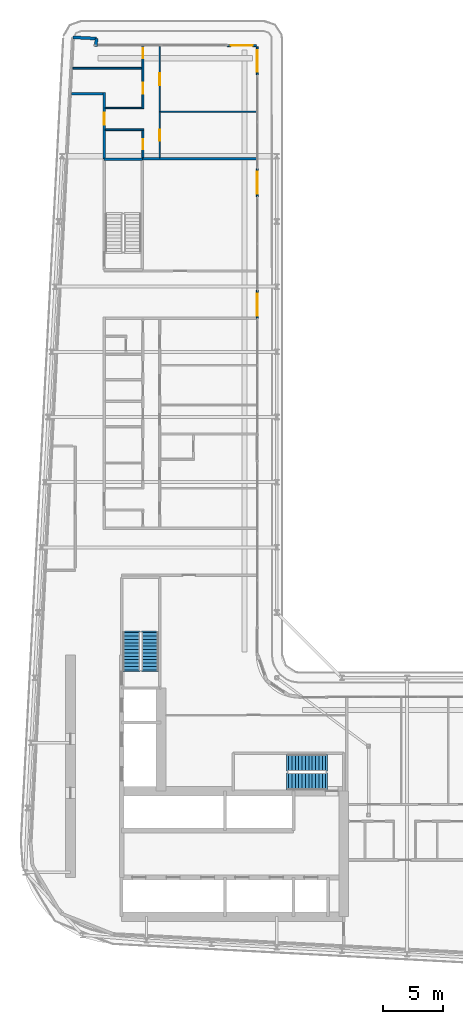
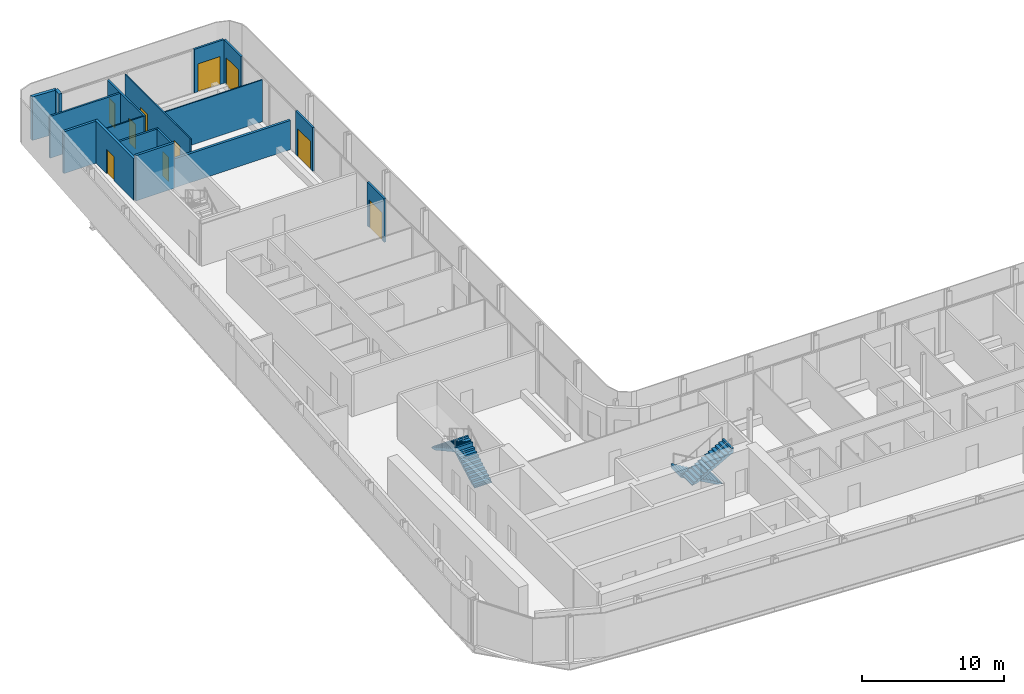
# One storey, part 16 of 24: 17 walls, 10 doors, 4 stair flights, 10 openings, 2 elements without a shape of their own.
"""IFC4 building model written with IfcOpenShell, lengths in metres."""

from ifc_helpers import new_model, si_unit, direction, frame, frame_2d, origin, place, context, subcontext, project, spatial, polyline, rectangle, outline, extrude, source, transform, mapped, material, layer, layer_set, type_object, element, fill, aggregate, save


model = new_model("IFC4")

# Units and contexts
model_context = context("Model", 3, precision=1e-05, world=origin(), true_north=direction((0.0, 1.0)))
body_context = subcontext(model_context, "Body", "Model", "MODEL_VIEW")
ifc_project = project(units=[si_unit("LENGTHUNIT", "METRE"), si_unit("AREAUNIT", "SQUARE_METRE"), si_unit("VOLUMEUNIT", "CUBIC_METRE"), si_unit("PLANEANGLEUNIT", "RADIAN"), si_unit("MASSUNIT", "GRAM", prefix="KILO")], contexts=[model_context])

# Site, building, storey
site_placement = place(None, origin())
site = spatial("IfcSite", under=ifc_project, at=site_placement, CompositionType="ELEMENT")
building_placement = place(site_placement, origin())
building = spatial("IfcBuilding", under=site, at=building_placement, Name="Kheshtan School and Residences Tower", CompositionType="ELEMENT")
storey_placement = place(building_placement, frame((0.0, 0.0, 160.39990234375)))
storey = spatial("IfcBuildingStorey", under=building, at=storey_placement, Name="L37", CompositionType="ELEMENT", Elevation=160.39990234375)

# Wall
ifc_material_1 = material(Name="Gypsum board on steel studs with fire boards", Category="steel")
ifc_layer_1 = layer(ifc_material_1, 0.199951171875)
ifc_layer_set_1 = layer_set([ifc_layer_1], Name="Corridor wall 200")
wall_type_1 = type_object("IfcWallType", Name="Corridor wall 200", PredefinedType="PARTITIONING", material=ifc_layer_set_1)
wall_1_placement = place(storey_placement, frame((30.584716796875, 94.0, 0.0), z_axis=(0.0, 0.0, 1.0), x_axis=(1.0, 0.0, 0.0)))
element("IfcWall", 1, at=wall_1_placement, inside=storey, type_object=wall_type_1, Name="Partition L37-002", PredefinedType="PARTITIONING", context=body_context, shape_type="SweptSolid", body=[
    extrude(rectangle(XDim=2.615234375, YDim=0.199951171875, at=frame_2d((1.3076171875, 0.0))), origin(), (0.0, 0.0, 1.0), 3.60009765625),
])

# Wall, opening, door
wall_2_placement = place(storey_placement, frame((33.300048828125, 88.60009765625, 0.0), z_axis=(0.0, 0.0, 1.0), x_axis=(0.0, 1.0, 0.0)))
wall_2 = element("IfcWall", 2, at=wall_2_placement, inside=storey, type_object=wall_type_1, Name="Partition L37-005", PredefinedType="PARTITIONING", context=body_context, shape_type="SweptSolid", body=[
    extrude(rectangle(XDim=5.5, YDim=0.199951171875, at=frame_2d((2.75, 0.0))), origin(), (0.0, 0.0, 1.0), 3.60009765625),
])
opening_1_placement = place(wall_2_placement, frame((2.800048828125, 0.0, 0.0)))
opening_1 = element("IfcOpeningElement", 3, at=opening_1_placement, cuts=wall_2, Name="Opening D37-045", PredefinedType="OPENING", context=body_context, shape_type="SweptSolid", body=[
    extrude(rectangle(XDim=1.0, YDim=2.10009765625, at=frame_2d((0.5, 1.050048828125))), frame((0.0, 0.10986328125, 0.0), z_axis=(0.0, -1.0, 0.0), x_axis=(1.0, 0.0, 0.0)), (0.0, 0.0, 1.0), 0.219970703125),
])
ifc_material_2 = material(Name="Steel-framed fire-resisting door leaf", Category="steel")
door_type_1 = type_object("IfcDoorType", Name="Fire door FD30S 1000 x 2100", OperationType="SINGLE_SWING_LEFT", PredefinedType="DOOR", material=ifc_material_2)
shared_shape_1 = source(origin(), body_context, "Body", "SweptSolid", [
    extrude(rectangle(XDim=1.0, YDim=2.10009765625, at=frame_2d((0.5, 1.050048828125))), frame((0.0, 0.02490234375, 0.0), z_axis=(0.0, -1.0, 0.0), x_axis=(1.0, 0.0, 0.0)), (0.0, 0.0, 1.0), 0.050048828125),
])
door_1_placement = place(opening_1_placement, origin())
door_1 = element("IfcDoor", 4, at=door_1_placement, inside=storey, type_object=door_type_1, Name="Door D37-045", OperationType="SINGLE_SWING_LEFT", OverallHeight=2.10009765625, OverallWidth=1.0, PredefinedType="DOOR", context=body_context, shape_type="MappedRepresentation", body=[
    mapped(shared_shape_1, transform((0.0, 0.0, 0.0), x_axis=(1.0, 0.0, 0.0), y_axis=(0.0, 1.0, 0.0), z_axis=(0.0, 0.0, 1.0), scale=1.0)),
])
fill(opening_1, door_1)

# Walls
ifc_material_3 = material(Name="Concrete C40/50 with ceramic cladding and mineral wool insulation", Category="concrete")
ifc_layer_2 = layer(ifc_material_3, 0.25)
ifc_layer_set_2 = layer_set([ifc_layer_2], Name="External wall 250 ceramic clad")
wall_type_2 = type_object("IfcWallType", Name="External wall 250 ceramic clad", PredefinedType="SOLIDWALL", material=ifc_layer_set_2)
wall_3_placement = place(storey_placement, frame((30.705078125, 98.6640625, 0.0), z_axis=(0.0, 0.0, 1.0), x_axis=(0.998577785791, -0.053314216913, 0.0)))
element("IfcWall", 5, at=wall_3_placement, inside=storey, type_object=wall_type_2, Name="External wall L37 5", PredefinedType="SOLIDWALL", context=body_context, shape_type="SweptSolid", body=[
    extrude(rectangle(XDim=1.95068359375, YDim=0.25, at=frame_2d((0.975341796875, 0.0))), origin(), (0.0, 0.0, 1.0), 3.75),
])
wall_4_placement = place(storey_placement, frame((32.653076171875, 98.56005859375, 0.0), z_axis=(0.0, 0.0, 1.0), x_axis=(-0.054093451632, -0.998535877418, 0.0)))
element("IfcWall", 6, at=wall_4_placement, inside=storey, type_object=wall_type_2, Name="External wall L37 6", PredefinedType="SOLIDWALL", context=body_context, shape_type="SweptSolid", body=[
    extrude(rectangle(XDim=0.66796875, YDim=0.25, at=frame_2d((0.333984375, 0.0))), origin(), (0.0, 0.0, 1.0), 3.75),
])

# Wall, opening, door
ifc_material_4 = material(Name="Aluminium frame wall with insulated infill", Category="aluminium")
ifc_layer_3 = layer(ifc_material_4, 0.14990234375)
ifc_layer_set_3 = layer_set([ifc_layer_3], Name="Glazing frame wall 150")
wall_type_3 = type_object("IfcWallType", Name="Glazing frame wall 150", PredefinedType="SOLIDWALL", material=ifc_layer_set_3)
wall_5_placement = place(storey_placement, frame((43.5, 97.97509765625, 0.0), z_axis=(0.0, 0.0, 1.0), x_axis=(1.0, 0.0, 0.0)))
wall_5 = element("IfcWall", 7, at=wall_5_placement, inside=storey, type_object=wall_type_3, Name="Balcony door wall L37 7.1", PredefinedType="SOLIDWALL", context=body_context, shape_type="SweptSolid", body=[
    extrude(rectangle(XDim=2.39990234375, YDim=0.14990234375, at=frame_2d((1.199951171875, 0.0))), origin(), (0.0, 0.0, 1.0), 3.75),
])
opening_2_placement = place(wall_5_placement, frame((0.300048828125, 0.0, 0.0)))
opening_2 = element("IfcOpeningElement", 8, at=opening_2_placement, cuts=wall_5, Name="Opening BD", PredefinedType="OPENING", context=body_context, shape_type="SweptSolid", body=[
    extrude(rectangle(XDim=1.800048828125, YDim=2.39990234375, at=frame_2d((0.89990234375, 1.199951171875))), frame((0.0, 0.0849609375, 0.0), z_axis=(0.0, -1.0, 0.0), x_axis=(1.0, 0.0, 0.0)), (0.0, 0.0, 1.0), 0.169921875),
])
ifc_material_5 = material(Name="Clear low-e glass in thermally broken aluminium frame", Category="aluminium")
door_type_2 = type_object("IfcDoorType", Name="Balcony sliding door", OperationType="SLIDING_TO_LEFT", PredefinedType="DOOR", material=ifc_material_5)
shared_shape_2 = source(origin(), body_context, "Body", "SweptSolid", [
    extrude(rectangle(XDim=1.800048828125, YDim=2.39990234375, at=frame_2d((0.89990234375, 1.199951171875))), frame((0.0, 0.02490234375, 0.0), z_axis=(0.0, -1.0, 0.0), x_axis=(1.0, 0.0, 0.0)), (0.0, 0.0, 1.0), 0.050048828125),
])
door_2_placement = place(opening_2_placement, origin())
door_2 = element("IfcDoor", 9, at=door_2_placement, inside=storey, type_object=door_type_2, Name="Balcony door L37 7.1", OperationType="SLIDING_TO_LEFT", OverallHeight=2.39990234375, OverallWidth=1.800048828125, PredefinedType="DOOR", context=body_context, shape_type="MappedRepresentation", body=[
    mapped(shared_shape_2, transform((0.0, 0.0, 0.0), x_axis=(1.0, 0.0, 0.0), y_axis=(0.0, 1.0, 0.0), z_axis=(0.0, 0.0, 1.0), scale=1.0)),
])
fill(opening_2, door_2)

wall_6_placement = place(storey_placement, frame((45.97509765625, 97.89990234375, 0.0), z_axis=(0.0, 0.0, 1.0), x_axis=(0.0, -1.0, 0.0)))
wall_6 = element("IfcWall", 10, at=wall_6_placement, inside=storey, type_object=wall_type_3, Name="Balcony door wall L37 8.1", PredefinedType="SOLIDWALL", context=body_context, shape_type="SweptSolid", body=[
    extrude(rectangle(XDim=2.39990234375, YDim=0.14990234375, at=frame_2d((1.199951171875, 0.0))), origin(), (0.0, 0.0, 1.0), 3.75),
])
opening_3_placement = place(wall_6_placement, frame((0.300048828125, 0.0, 0.0)))
opening_3 = element("IfcOpeningElement", 11, at=opening_3_placement, cuts=wall_6, Name="Opening BD", PredefinedType="OPENING", context=body_context, shape_type="SweptSolid", body=[
    extrude(rectangle(XDim=1.800048828125, YDim=2.39990234375, at=frame_2d((0.89990234375, 1.199951171875))), frame((0.0, 0.0849609375, 0.0), z_axis=(0.0, -1.0, 0.0), x_axis=(1.0, 0.0, 0.0)), (0.0, 0.0, 1.0), 0.169921875),
])
door_3_placement = place(opening_3_placement, origin())
door_3 = element("IfcDoor", 12, at=door_3_placement, inside=storey, type_object=door_type_2, Name="Balcony door L37 8.1", OperationType="SLIDING_TO_LEFT", OverallHeight=2.39990234375, OverallWidth=1.800048828125, PredefinedType="DOOR", context=body_context, shape_type="MappedRepresentation", body=[
    mapped(shared_shape_2, transform((0.0, 0.0, 0.0), x_axis=(1.0, 0.0, 0.0), y_axis=(0.0, 1.0, 0.0), z_axis=(0.0, 0.0, 1.0), scale=1.0)),
])
fill(opening_3, door_3)

wall_7_placement = place(storey_placement, frame((45.97509765625, 87.805908203125, 0.0), z_axis=(0.0, 0.0, 1.0), x_axis=(0.0, -1.0, 0.0)))
wall_7 = element("IfcWall", 13, at=wall_7_placement, inside=storey, type_object=wall_type_3, Name="Balcony door wall L37 8.2", PredefinedType="SOLIDWALL", context=body_context, shape_type="SweptSolid", body=[
    extrude(rectangle(XDim=2.39990234375, YDim=0.14990234375, at=frame_2d((1.199951171875, 0.0))), origin(), (0.0, 0.0, 1.0), 3.75),
])
opening_4_placement = place(wall_7_placement, frame((0.300048828125, 0.0, 0.0)))
opening_4 = element("IfcOpeningElement", 14, at=opening_4_placement, cuts=wall_7, Name="Opening BD", PredefinedType="OPENING", context=body_context, shape_type="SweptSolid", body=[
    extrude(rectangle(XDim=1.800048828125, YDim=2.39990234375, at=frame_2d((0.89990234375, 1.199951171875))), frame((0.0, 0.0849609375, 0.0), z_axis=(0.0, -1.0, 0.0), x_axis=(1.0, 0.0, 0.0)), (0.0, 0.0, 1.0), 0.169921875),
])
door_4_placement = place(opening_4_placement, origin())
door_4 = element("IfcDoor", 15, at=door_4_placement, inside=storey, type_object=door_type_2, Name="Balcony door L37 8.2", OperationType="SLIDING_TO_LEFT", OverallHeight=2.39990234375, OverallWidth=1.800048828125, PredefinedType="DOOR", context=body_context, shape_type="MappedRepresentation", body=[
    mapped(shared_shape_2, transform((0.0, 0.0, 0.0), x_axis=(1.0, 0.0, 0.0), y_axis=(0.0, 1.0, 0.0), z_axis=(0.0, 0.0, 1.0), scale=1.0)),
])
fill(opening_4, door_4)

wall_8_placement = place(storey_placement, frame((45.97509765625, 77.7119140625, 0.0), z_axis=(0.0, 0.0, 1.0), x_axis=(0.0, -1.0, 0.0)))
wall_8 = element("IfcWall", 16, at=wall_8_placement, inside=storey, type_object=wall_type_3, Name="Balcony door wall L37 8.3", PredefinedType="SOLIDWALL", context=body_context, shape_type="SweptSolid", body=[
    extrude(rectangle(XDim=2.39990234375, YDim=0.14990234375, at=frame_2d((1.199951171875, 0.0))), origin(), (0.0, 0.0, 1.0), 3.75),
])
opening_5_placement = place(wall_8_placement, frame((0.300048828125, 0.0, 0.0)))
opening_5 = element("IfcOpeningElement", 17, at=opening_5_placement, cuts=wall_8, Name="Opening BD", PredefinedType="OPENING", context=body_context, shape_type="SweptSolid", body=[
    extrude(rectangle(XDim=1.800048828125, YDim=2.39990234375, at=frame_2d((0.89990234375, 1.199951171875))), frame((0.0, 0.0849609375, 0.0), z_axis=(0.0, -1.0, 0.0), x_axis=(1.0, 0.0, 0.0)), (0.0, 0.0, 1.0), 0.169921875),
])
door_5_placement = place(opening_5_placement, origin())
door_5 = element("IfcDoor", 18, at=door_5_placement, inside=storey, type_object=door_type_2, Name="Balcony door L37 8.3", OperationType="SLIDING_TO_LEFT", OverallHeight=2.39990234375, OverallWidth=1.800048828125, PredefinedType="DOOR", context=body_context, shape_type="MappedRepresentation", body=[
    mapped(shared_shape_2, transform((0.0, 0.0, 0.0), x_axis=(1.0, 0.0, 0.0), y_axis=(0.0, 1.0, 0.0), z_axis=(0.0, 0.0, 1.0), scale=1.0)),
])
fill(opening_5, door_5)

# Wall
ifc_material_6 = material(Name="Gypsum board on steel studs", Category="steel")
ifc_layer_4 = layer(ifc_material_6, 0.10009765625)
ifc_layer_set_4 = layer_set([ifc_layer_4], Name="Gypsum partition 100")
wall_type_4 = type_object("IfcWallType", Name="Gypsum partition 100", PredefinedType="PARTITIONING", material=ifc_layer_set_4)
wall_9_placement = place(storey_placement, frame((33.39990234375, 92.800048828125, 0.0), z_axis=(0.0, 0.0, 1.0), x_axis=(1.0, 0.0, 0.0)))
element("IfcWall", 19, at=wall_9_placement, inside=storey, type_object=wall_type_4, Name="Partition L37-017", PredefinedType="PARTITIONING", context=body_context, shape_type="SweptSolid", body=[
    extrude(rectangle(XDim=3.025146484375, YDim=0.10009765625, at=frame_2d((1.5126953125, 0.0))), origin(), (0.0, 0.0, 1.0), 3.60009765625),
])

# Wall, openings, doors
wall_10_placement = place(storey_placement, frame((37.89990234375, 88.699951171875, 0.0), z_axis=(0.0, 0.0, 1.0), x_axis=(0.0, 1.0, 0.0)))
wall_10 = element("IfcWall", 20, at=wall_10_placement, inside=storey, type_object=wall_type_4, Name="Partition L37-026", PredefinedType="PARTITIONING", context=body_context, shape_type="SweptSolid", body=[
    extrude(rectangle(XDim=9.199951171875, YDim=0.10009765625, at=frame_2d((4.60009765625, 0.0))), origin(), (0.0, 0.0, 1.0), 3.60009765625),
])
opening_6_placement = place(wall_10_placement, frame((1.39990234375, 0.0, 0.0)))
opening_6 = element("IfcOpeningElement", 21, at=opening_6_placement, cuts=wall_10, Name="Opening D37-044", PredefinedType="OPENING", context=body_context, shape_type="SweptSolid", body=[
    extrude(rectangle(XDim=0.89990234375, YDim=2.10009765625, at=frame_2d((0.449951171875, 1.050048828125))), frame((0.0, 0.06005859375, 0.0), z_axis=(0.0, -1.0, 0.0), x_axis=(1.0, 0.0, 0.0)), (0.0, 0.0, 1.0), 0.1201171875),
])
opening_7_placement = place(wall_10_placement, frame((6.0, 0.0, 0.0)))
opening_7 = element("IfcOpeningElement", 22, at=opening_7_placement, cuts=wall_10, Name="Opening D37-047", PredefinedType="OPENING", context=body_context, shape_type="SweptSolid", body=[
    extrude(rectangle(XDim=1.0, YDim=2.10009765625, at=frame_2d((0.5, 1.050048828125))), frame((0.0, 0.06005859375, 0.0), z_axis=(0.0, -1.0, 0.0), x_axis=(1.0, 0.0, 0.0)), (0.0, 0.0, 1.0), 0.1201171875),
])
ifc_material_7 = material(Name="Veneered timber door leaf", Category="wood")
door_type_3 = type_object("IfcDoorType", Name="Door 1000 x 2100", OperationType="SINGLE_SWING_LEFT", PredefinedType="DOOR", material=ifc_material_7)
shared_shape_3 = source(origin(), body_context, "Body", "SweptSolid", [
    extrude(rectangle(XDim=1.0, YDim=2.10009765625, at=frame_2d((0.5, 1.050048828125))), frame((0.0, 0.02490234375, 0.0), z_axis=(0.0, -1.0, 0.0), x_axis=(1.0, 0.0, 0.0)), (0.0, 0.0, 1.0), 0.050048828125),
])
door_6_placement = place(opening_7_placement, origin())
door_6 = element("IfcDoor", 23, at=door_6_placement, inside=storey, type_object=door_type_3, Name="Door D37-047", OperationType="SINGLE_SWING_RIGHT", OverallHeight=2.10009765625, OverallWidth=1.0, PredefinedType="DOOR", context=body_context, shape_type="MappedRepresentation", body=[
    mapped(shared_shape_3, transform((0.0, 0.0, 0.0), x_axis=(1.0, 0.0, 0.0), y_axis=(0.0, 1.0, 0.0), z_axis=(0.0, 0.0, 1.0), scale=1.0)),
])
fill(opening_7, door_6)
door_type_4 = type_object("IfcDoorType", Name="Door 900 x 2100", OperationType="SINGLE_SWING_LEFT", PredefinedType="DOOR", material=ifc_material_7)
shared_shape_4 = source(origin(), body_context, "Body", "SweptSolid", [
    extrude(rectangle(XDim=0.89990234375, YDim=2.10009765625, at=frame_2d((0.449951171875, 1.050048828125))), frame((0.0, 0.02490234375, 0.0), z_axis=(0.0, -1.0, 0.0), x_axis=(1.0, 0.0, 0.0)), (0.0, 0.0, 1.0), 0.050048828125),
])
door_7_placement = place(opening_6_placement, origin())
door_7 = element("IfcDoor", 24, at=door_7_placement, inside=storey, type_object=door_type_4, Name="Door D37-044", OperationType="SINGLE_SWING_LEFT", OverallHeight=2.10009765625, OverallWidth=0.89990234375, PredefinedType="DOOR", context=body_context, shape_type="MappedRepresentation", body=[
    mapped(shared_shape_4, transform((0.0, 0.0, 0.0), x_axis=(1.0, 0.0, 0.0), y_axis=(0.0, 1.0, 0.0), z_axis=(0.0, 0.0, 1.0), scale=1.0)),
])
fill(opening_6, door_7)

# Walls
wall_11_placement = place(storey_placement, frame((37.949951171875, 92.5, 0.0), z_axis=(0.0, 0.0, 1.0), x_axis=(1.0, 0.0, 0.0)))
element("IfcWall", 25, at=wall_11_placement, inside=storey, type_object=wall_type_4, Name="Partition L37-027", PredefinedType="PARTITIONING", context=body_context, shape_type="SweptSolid", body=[
    extrude(rectangle(XDim=7.949951171875, YDim=0.10009765625, at=frame_2d((3.97509765625, 0.0))), origin(), (0.0, 0.0, 1.0), 3.60009765625),
])
ifc_material_8 = material(Name="Concrete C40/50", Category="concrete")
ifc_layer_5 = layer(ifc_material_8, 0.199951171875)
ifc_layer_set_5 = layer_set([ifc_layer_5], Name="Stair enclosure wall 200 Concrete C40/50")
wall_type_5 = type_object("IfcWallType", Name="Stair enclosure wall 200 Concrete C40/50", PredefinedType="SHEAR", material=ifc_layer_set_5)
wall_12_placement = place(storey_placement, frame((33.300048828125, 88.56005859375, 0.0), z_axis=(0.0, 0.0, 1.0), x_axis=(1.0, 0.0, 0.0)))
element("IfcWall", 26, at=wall_12_placement, inside=storey, type_object=wall_type_5, Name="Stair enclosure wall ST3", PredefinedType="SHEAR", context=body_context, shape_type="SweptSolid", body=[
    extrude(rectangle(XDim=3.14990234375, YDim=0.199951171875, at=frame_2d((1.574951171875, 0.0))), origin(), (0.0, 0.0, 1.0), 3.900146484375),
])
ifc_material_9 = material(Name="Twin gypsum board on steel studs with mineral wool", Category="steel")
ifc_layer_6 = layer(ifc_material_9, 0.199951171875)
ifc_layer_set_6 = layer_set([ifc_layer_6], Name="Unit demising wall 200")
wall_type_6 = type_object("IfcWallType", Name="Unit demising wall 200", PredefinedType="PARTITIONING", material=ifc_layer_set_6)
wall_13_placement = place(storey_placement, frame((36.425048828125, 88.60009765625, 0.0), z_axis=(0.0, 0.0, 1.0), x_axis=(1.0, 0.0, 0.0)))
element("IfcWall", 27, at=wall_13_placement, inside=storey, type_object=wall_type_6, Name="Partition L37-020", PredefinedType="PARTITIONING", context=body_context, shape_type="SweptSolid", body=[
    extrude(rectangle(XDim=9.474853515625, YDim=0.199951171875, at=frame_2d((4.7373046875, 0.0))), origin(), (0.0, 0.0, 1.0), 2.5),
])
ifc_material_10 = material(Name="Moisture-resistant gypsum board on steel studs", Category="steel")
ifc_layer_7 = layer(ifc_material_10, 0.14990234375)
ifc_layer_set_7 = layer_set([ifc_layer_7], Name="Wet-room partition 150")
wall_type_7 = type_object("IfcWallType", Name="Wet-room partition 150", PredefinedType="PARTITIONING", material=ifc_layer_set_7)
wall_14_placement = place(storey_placement, frame((30.695068359375, 96.10009765625, 0.0), z_axis=(0.0, 0.0, 1.0), x_axis=(1.0, 0.0, 0.0)))
element("IfcWall", 28, at=wall_14_placement, inside=storey, type_object=wall_type_7, Name="Partition L37-001", PredefinedType="PARTITIONING", context=body_context, shape_type="SweptSolid", body=[
    extrude(rectangle(XDim=5.72998046875, YDim=0.14990234375, at=frame_2d((2.864990234375, 0.0))), origin(), (0.0, 0.0, 1.0), 3.60009765625),
])
wall_15_placement = place(storey_placement, frame((33.39990234375, 91.0, 0.0), z_axis=(0.0, 0.0, 1.0), x_axis=(1.0, 0.0, 0.0)))
element("IfcWall", 29, at=wall_15_placement, inside=storey, type_object=wall_type_7, Name="Partition L37-016", PredefinedType="PARTITIONING", context=body_context, shape_type="SweptSolid", body=[
    extrude(rectangle(XDim=3.175048828125, YDim=0.14990234375, at=frame_2d((1.58740234375, 0.0))), origin(), (0.0, 0.0, 1.0), 3.60009765625),
])

# Wall, opening, door
wall_16_placement = place(storey_placement, frame((36.5, 88.699951171875, 0.0), z_axis=(0.0, 0.0, 1.0), x_axis=(0.0, 1.0, 0.0)))
wall_16 = element("IfcWall", 30, at=wall_16_placement, inside=storey, type_object=wall_type_7, Name="Partition L37-023", PredefinedType="PARTITIONING", context=body_context, shape_type="SweptSolid", body=[
    extrude(rectangle(XDim=2.22509765625, YDim=0.14990234375, at=frame_2d((1.112548828125, 0.0))), origin(), (0.0, 0.0, 1.0), 3.60009765625),
])
opening_8_placement = place(wall_16_placement, frame((0.699951171875, 0.0, 0.0)))
opening_8 = element("IfcOpeningElement", 31, at=opening_8_placement, cuts=wall_16, Name="Opening D37-043", PredefinedType="OPENING", context=body_context, shape_type="SweptSolid", body=[
    extrude(rectangle(XDim=0.800048828125, YDim=2.10009765625, at=frame_2d((0.39990234375, 1.050048828125))), frame((0.0, 0.0849609375, 0.0), z_axis=(0.0, -1.0, 0.0), x_axis=(1.0, 0.0, 0.0)), (0.0, 0.0, 1.0), 0.169921875),
])
door_type_5 = type_object("IfcDoorType", Name="Door 800 x 2100", OperationType="SINGLE_SWING_LEFT", PredefinedType="DOOR", material=ifc_material_7)
shared_shape_5 = source(origin(), body_context, "Body", "SweptSolid", [
    extrude(rectangle(XDim=0.800048828125, YDim=2.10009765625, at=frame_2d((0.39990234375, 1.050048828125))), frame((0.0, 0.02490234375, 0.0), z_axis=(0.0, -1.0, 0.0), x_axis=(1.0, 0.0, 0.0)), (0.0, 0.0, 1.0), 0.050048828125),
])
door_8_placement = place(opening_8_placement, origin())
door_8 = element("IfcDoor", 32, at=door_8_placement, inside=storey, type_object=door_type_5, Name="Door D37-043", OperationType="SINGLE_SWING_LEFT", OverallHeight=2.10009765625, OverallWidth=0.800048828125, PredefinedType="DOOR", context=body_context, shape_type="MappedRepresentation", body=[
    mapped(shared_shape_5, transform((0.0, 0.0, 0.0), x_axis=(1.0, 0.0, 0.0), y_axis=(0.0, 1.0, 0.0), z_axis=(0.0, 0.0, 1.0), scale=1.0)),
])
fill(opening_8, door_8)

# Wall, openings, doors
wall_17_placement = place(storey_placement, frame((36.5, 92.75, 0.0), z_axis=(0.0, 0.0, 1.0), x_axis=(0.0, 1.0, 0.0)))
wall_17 = element("IfcWall", 33, at=wall_17_placement, inside=storey, type_object=wall_type_7, Name="Partition L37-024", PredefinedType="PARTITIONING", context=body_context, shape_type="SweptSolid", body=[
    extrude(rectangle(XDim=5.14990234375, YDim=0.14990234375, at=frame_2d((2.574951171875, 0.0))), origin(), (0.0, 0.0, 1.0), 3.60009765625),
])
opening_9_placement = place(wall_17_placement, frame((1.25, 0.0, 0.0)))
opening_9 = element("IfcOpeningElement", 34, at=opening_9_placement, cuts=wall_17, Name="Opening D37-046", PredefinedType="OPENING", context=body_context, shape_type="SweptSolid", body=[
    extrude(rectangle(XDim=0.89990234375, YDim=2.10009765625, at=frame_2d((0.449951171875, 1.050048828125))), frame((0.0, 0.0849609375, 0.0), z_axis=(0.0, -1.0, 0.0), x_axis=(1.0, 0.0, 0.0)), (0.0, 0.0, 1.0), 0.169921875),
])
opening_10_placement = place(wall_17_placement, frame((4.199951171875, 0.0, 0.0)))
opening_10 = element("IfcOpeningElement", 35, at=opening_10_placement, cuts=wall_17, Name="Opening D37-048", PredefinedType="OPENING", context=body_context, shape_type="SweptSolid", body=[
    extrude(rectangle(XDim=0.800048828125, YDim=2.10009765625, at=frame_2d((0.39990234375, 1.050048828125))), frame((0.0, 0.0849609375, 0.0), z_axis=(0.0, -1.0, 0.0), x_axis=(1.0, 0.0, 0.0)), (0.0, 0.0, 1.0), 0.169921875),
])
door_9_placement = place(opening_10_placement, origin())
door_9 = element("IfcDoor", 36, at=door_9_placement, inside=storey, type_object=door_type_5, Name="Door D37-048", OperationType="SINGLE_SWING_LEFT", OverallHeight=2.10009765625, OverallWidth=0.800048828125, PredefinedType="DOOR", context=body_context, shape_type="MappedRepresentation", body=[
    mapped(shared_shape_5, transform((0.0, 0.0, 0.0), x_axis=(1.0, 0.0, 0.0), y_axis=(0.0, 1.0, 0.0), z_axis=(0.0, 0.0, 1.0), scale=1.0)),
])
fill(opening_10, door_9)
door_10_placement = place(opening_9_placement, origin())
door_10 = element("IfcDoor", 37, at=door_10_placement, inside=storey, type_object=door_type_4, Name="Door D37-046", OperationType="SINGLE_SWING_RIGHT", OverallHeight=2.10009765625, OverallWidth=0.89990234375, PredefinedType="DOOR", context=body_context, shape_type="MappedRepresentation", body=[
    mapped(shared_shape_4, transform((0.0, 0.0, 0.0), x_axis=(1.0, 0.0, 0.0), y_axis=(0.0, 1.0, 0.0), z_axis=(0.0, 0.0, 1.0), scale=1.0)),
])
fill(opening_9, door_10)

# Stair, stair flights
stair_type = type_object("IfcStairType", Name="Exit stair, half-turn", PredefinedType="HALF_TURN_STAIR", material=ifc_material_8)
stair_1_placement = place(storey_placement, origin())
stair_1 = element("IfcStair", 38, at=stair_1_placement, inside=storey, type_object=stair_type, Name="L37 Protected Exit Stair ST1", PredefinedType="HALF_TURN_STAIR")
ifc_layer_8 = layer(ifc_material_8, 0.14990234375)
ifc_layer_set_8 = layer_set([ifc_layer_8], Name="Stair flight 1400 Concrete C40/50")
stair_flight_type = type_object("IfcStairFlightType", Name="Stair flight 1400 Concrete C40/50", PredefinedType="STRAIGHT", material=ifc_layer_set_8)
stair_flight_1_placement = place(storey_placement, frame((51.64990234375, 38.550048828125, 0.0), z_axis=(0.0, 0.0, 1.0), x_axis=(-1.0, 0.0, 0.0)))
stair_flight_1 = element("IfcStairFlight", 39, at=stair_flight_1_placement, type_object=stair_flight_type, Name="ST1 flight 1", NumberOfRisers=12, NumberOfTreads=11, PredefinedType="STRAIGHT", RiserHeight=0.1625, TreadLength=0.28, context=body_context, shape_type="SweptSolid", body=[
    extrude(outline(polyline([(-0.14990234375, -0.10009765625), (-0.14990234375, 0.0), (0.0, 0.0), (0.0, 0.16259765625), (0.280029296875, 0.16259765625), (0.280029296875, 0.324951171875), (0.56005859375, 0.324951171875), (0.56005859375, 0.487548828125), (0.840087890625, 0.487548828125), (0.840087890625, 0.64990234375), (1.1201171875, 0.64990234375), (1.1201171875, 0.8125), (1.39990234375, 0.8125), (1.39990234375, 0.97509765625), (1.679931640625, 0.97509765625), (1.679931640625, 1.137451171875), (1.9599609375, 1.137451171875), (1.9599609375, 1.300048828125), (2.239990234375, 1.300048828125), (2.239990234375, 1.46240234375), (2.52001953125, 1.46240234375), (2.52001953125, 1.625), (2.800048828125, 1.625), (2.800048828125, 1.78759765625), (3.080078125, 1.78759765625), (3.080078125, 1.949951171875), (3.080078125, 1.969970703125), (3.22998046875, 1.969970703125), (3.22998046875, 1.6142578125), (0.298583984375, 0.0), (-0.14990234375, -0.10009765625)])), frame((0.0, 0.699951171875, 0.0), z_axis=(0.0, -1.0, 0.0), x_axis=(1.0, 0.0, 0.0)), (0.0, 0.0, 1.0), 1.39990234375),
])
stair_flight_2_placement = place(storey_placement, frame((48.570068359375, 37.0, 1.9501953125), z_axis=(0.0, 0.0, 1.0), x_axis=(1.0, 0.0, 0.0)))
stair_flight_2 = element("IfcStairFlight", 40, at=stair_flight_2_placement, type_object=stair_flight_type, Name="ST1 flight 2", NumberOfRisers=12, NumberOfTreads=11, PredefinedType="STRAIGHT", RiserHeight=0.1625, TreadLength=0.28, context=body_context, shape_type="SweptSolid", body=[
    extrude(outline(polyline([(-0.14990234375, -0.10009765625), (-0.14990234375, 0.0), (0.0, 0.0), (0.0, 0.16259765625), (0.280029296875, 0.16259765625), (0.280029296875, 0.324951171875), (0.56005859375, 0.324951171875), (0.56005859375, 0.487548828125), (0.840087890625, 0.487548828125), (0.840087890625, 0.64990234375), (1.1201171875, 0.64990234375), (1.1201171875, 0.8125), (1.39990234375, 0.8125), (1.39990234375, 0.97509765625), (1.679931640625, 0.97509765625), (1.679931640625, 1.137451171875), (1.9599609375, 1.137451171875), (1.9599609375, 1.300048828125), (2.239990234375, 1.300048828125), (2.239990234375, 1.46240234375), (2.52001953125, 1.46240234375), (2.52001953125, 1.625), (2.800048828125, 1.625), (2.800048828125, 1.78759765625), (3.080078125, 1.78759765625), (3.080078125, 1.949951171875), (3.080078125, 1.969970703125), (3.22998046875, 1.969970703125), (3.22998046875, 1.6142578125), (0.298583984375, 0.0), (-0.14990234375, -0.10009765625)])), frame((0.0, 0.699951171875, 0.0), z_axis=(0.0, -1.0, 0.0), x_axis=(1.0, 0.0, 0.0)), (0.0, 0.0, 1.0), 1.39990234375),
])
aggregate(stair_1, [stair_flight_1, stair_flight_2])

stair_2_placement = place(storey_placement, origin())
stair_2 = element("IfcStair", 41, at=stair_2_placement, inside=storey, type_object=stair_type, Name="L37 Protected Exit Stair ST2", PredefinedType="HALF_TURN_STAIR")
stair_flight_3_placement = place(storey_placement, frame((37.10009765625, 46.25, 0.0), z_axis=(0.0, 0.0, 1.0), x_axis=(0.0, 1.0, 0.0)))
stair_flight_3 = element("IfcStairFlight", 42, at=stair_flight_3_placement, type_object=stair_flight_type, Name="ST2 flight 1", NumberOfRisers=12, NumberOfTreads=11, PredefinedType="STRAIGHT", RiserHeight=0.1625, TreadLength=0.28, context=body_context, shape_type="SweptSolid", body=[
    extrude(outline(polyline([(-0.14990234375, -0.10009765625), (-0.14990234375, 0.0), (0.0, 0.0), (0.0, 0.16259765625), (0.280029296875, 0.16259765625), (0.280029296875, 0.324951171875), (0.56005859375, 0.324951171875), (0.56005859375, 0.487548828125), (0.840087890625, 0.487548828125), (0.840087890625, 0.64990234375), (1.1201171875, 0.64990234375), (1.1201171875, 0.8125), (1.39990234375, 0.8125), (1.39990234375, 0.97509765625), (1.679931640625, 0.97509765625), (1.679931640625, 1.137451171875), (1.9599609375, 1.137451171875), (1.9599609375, 1.300048828125), (2.239990234375, 1.300048828125), (2.239990234375, 1.46240234375), (2.52001953125, 1.46240234375), (2.52001953125, 1.625), (2.800048828125, 1.625), (2.800048828125, 1.78759765625), (3.080078125, 1.78759765625), (3.080078125, 1.949951171875), (3.080078125, 1.969970703125), (3.22998046875, 1.969970703125), (3.22998046875, 1.6142578125), (0.298583984375, 0.0), (-0.14990234375, -0.10009765625)])), frame((0.0, 0.699951171875, 0.0), z_axis=(0.0, -1.0, 0.0), x_axis=(1.0, 0.0, 0.0)), (0.0, 0.0, 1.0), 1.39990234375),
])
stair_flight_4_placement = place(storey_placement, frame((35.550048828125, 49.330078125, 1.9501953125), z_axis=(0.0, 0.0, 1.0), x_axis=(0.0, -1.0, 0.0)))
stair_flight_4 = element("IfcStairFlight", 43, at=stair_flight_4_placement, type_object=stair_flight_type, Name="ST2 flight 2", NumberOfRisers=12, NumberOfTreads=11, PredefinedType="STRAIGHT", RiserHeight=0.1625, TreadLength=0.28, context=body_context, shape_type="SweptSolid", body=[
    extrude(outline(polyline([(-0.14990234375, -0.10009765625), (-0.14990234375, 0.0), (0.0, 0.0), (0.0, 0.16259765625), (0.280029296875, 0.16259765625), (0.280029296875, 0.324951171875), (0.56005859375, 0.324951171875), (0.56005859375, 0.487548828125), (0.840087890625, 0.487548828125), (0.840087890625, 0.64990234375), (1.1201171875, 0.64990234375), (1.1201171875, 0.8125), (1.39990234375, 0.8125), (1.39990234375, 0.97509765625), (1.679931640625, 0.97509765625), (1.679931640625, 1.137451171875), (1.9599609375, 1.137451171875), (1.9599609375, 1.300048828125), (2.239990234375, 1.300048828125), (2.239990234375, 1.46240234375), (2.52001953125, 1.46240234375), (2.52001953125, 1.625), (2.800048828125, 1.625), (2.800048828125, 1.78759765625), (3.080078125, 1.78759765625), (3.080078125, 1.949951171875), (3.080078125, 1.969970703125), (3.22998046875, 1.969970703125), (3.22998046875, 1.6142578125), (0.298583984375, 0.0), (-0.14990234375, -0.10009765625)])), frame((0.0, 0.699951171875, 0.0), z_axis=(0.0, -1.0, 0.0), x_axis=(1.0, 0.0, 0.0)), (0.0, 0.0, 1.0), 1.39990234375),
])
aggregate(stair_2, [stair_flight_3, stair_flight_4])

save(model, "model.ifc")
